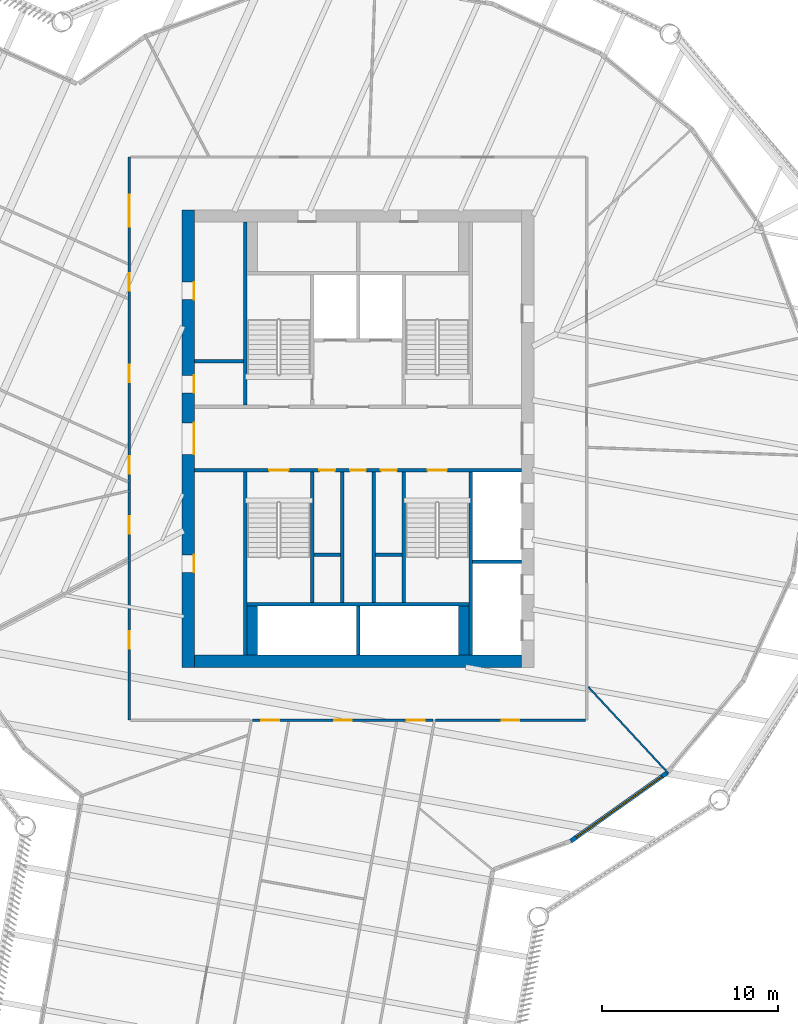
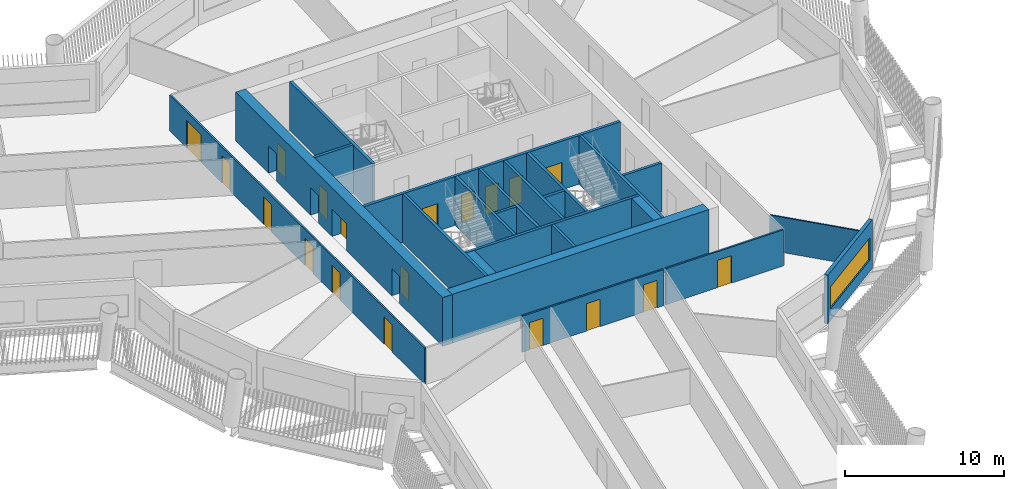
# One storey, part 4 of 14: 23 walls, 19 doors, 1 window, 20 openings.
"""IFC4 building model written with IfcOpenShell, lengths in metres."""

from ifc_helpers import new_model, si_unit, direction, frame, frame_2d, origin, place, context, subcontext, project, spatial, rectangle, extrude, material, layer, layer_set, type_object, element, fill, save


model = new_model("IFC4")

# Units and contexts
model_context = context("Model", 3, precision=1e-05, world=origin(), true_north=direction((0.0, 1.0)))
body_context = subcontext(model_context, "Body", "Model", "MODEL_VIEW")
ifc_project = project(units=[si_unit("LENGTHUNIT", "METRE"), si_unit("AREAUNIT", "SQUARE_METRE"), si_unit("VOLUMEUNIT", "CUBIC_METRE"), si_unit("PLANEANGLEUNIT", "RADIAN"), si_unit("MASSUNIT", "GRAM", prefix="KILO")], contexts=[model_context])

# Site, building, storey
site_placement = place(None, origin())
site = spatial("IfcSite", under=ifc_project, at=site_placement, CompositionType="ELEMENT")
building_placement = place(site_placement, origin())
building = spatial("IfcBuilding", under=site, at=building_placement, Name="Tarsis Ring Headquarters", CompositionType="ELEMENT")
storey_placement = place(building_placement, frame((0.0, 0.0, 182.699951171875)))
storey = spatial("IfcBuildingStorey", under=building, at=storey_placement, Name="L42", CompositionType="ELEMENT", Elevation=182.699951171875)

# Walls
ifc_material_1 = material(Name="Blockwork", Category="masonry")
ifc_layer_1 = layer(ifc_material_1, 0.199951171875)
ifc_layer_set_1 = layer_set([ifc_layer_1], Name="Core blockwork wall 200")
wall_type_1 = type_object("IfcWallType", Name="Core blockwork wall 200", PredefinedType="PARTITIONING", material=ifc_layer_set_1)
wall_1_placement = place(storey_placement, frame((-9.300048828125, 4.39990234375, 0.0), z_axis=(0.0, 0.0, 1.0), x_axis=(1.0, 0.0, 0.0)))
element("IfcWall", 1, at=wall_1_placement, inside=storey, type_object=wall_type_1, Name="Core partition WD5", PredefinedType="PARTITIONING", context=body_context, shape_type="SweptSolid", body=[
    extrude(rectangle(XDim=2.800048828125, YDim=0.199951171875, at=frame_2d((1.39990234375, 0.0))), origin(), (0.0, 0.0, 1.0), 3.739990234375),
])
for number, where, z_axis, x_axis, name in (
    (2, (-2.5, -6.60009765625, 0.0), (0.0, 0.0, 1.0), (1.0, 0.0, 0.0), "Core partition SP1"),
    (3, (1.0, -6.60009765625, 0.0), (0.0, 0.0, 1.0), (1.0, 0.0, 0.0), "Core partition SP3"),
):
    element("IfcWall", number, at=place(storey_placement, frame(where, z_axis=z_axis, x_axis=x_axis)), inside=storey, type_object=wall_type_1, Name=name, PredefinedType="PARTITIONING", context=body_context, shape_type="SweptSolid", body=[
        extrude(rectangle(XDim=1.5, YDim=0.199951171875, at=frame_2d((0.75, 0.0))), origin(), (0.0, 0.0, 1.0), 3.739990234375),
    ])
for number, where, z_axis, x_axis, name in (
    (4, (-0.89990234375, -9.300048828125, 0.0), (0.0, 0.0, 1.0), (0.0, 1.0, 0.0), "Core partition SV1"),
    (5, (0.89990234375, -9.300048828125, 0.0), (0.0, 0.0, 1.0), (0.0, 1.0, 0.0), "Core partition SV2"),
):
    element("IfcWall", number, at=place(storey_placement, frame(where, z_axis=z_axis, x_axis=x_axis)), inside=storey, type_object=wall_type_1, Name=name, PredefinedType="PARTITIONING", context=body_context, shape_type="SweptSolid", body=[
        extrude(rectangle(XDim=7.400146484375, YDim=0.199951171875, at=frame_2d((3.7001953125, 0.0))), origin(), (0.0, 0.0, 1.0), 3.739990234375),
    ])

# Wall, openings, doors
ifc_material_2 = material(Name="Concrete C60/75", Category="concrete")
ifc_layer_2 = layer(ifc_material_2, 0.699951171875)
ifc_layer_set_2 = layer_set([ifc_layer_2], Name="Core wall 700 C60/75")
wall_type_2 = type_object("IfcWallType", Name="Core wall 700 C60/75", PredefinedType="SHEAR", material=ifc_layer_set_2)
wall_2_placement = place(storey_placement, frame((-9.64990234375, -13.0, 0.0), z_axis=(0.0, 0.0, 1.0), x_axis=(0.0, 1.0, 0.0)))
wall_2 = element("IfcWall", 6, at=wall_2_placement, inside=storey, type_object=wall_type_2, Name="Core wall OW", PredefinedType="SHEAR", context=body_context, shape_type="SweptSolid", body=[
    extrude(rectangle(XDim=26.0, YDim=0.699951171875, at=frame_2d((13.0, 0.0))), origin(), (0.0, 0.0, 1.0), 3.739990234375),
])
opening_1_placement = place(wall_2_placement, frame((5.39990234375, 0.0, 0.0)))
opening_1 = element("IfcOpeningElement", 7, at=opening_1_placement, cuts=wall_2, Name="Opening L42-C01", PredefinedType="OPENING", context=body_context, shape_type="SweptSolid", body=[
    extrude(rectangle(XDim=1.0, YDim=2.10009765625, at=frame_2d((0.5, 1.050048828125))), frame((0.0, 0.35986328125, 0.0), z_axis=(0.0, -1.0, 0.0), x_axis=(1.0, 0.0, 0.0)), (0.0, 0.0, 1.0), 0.719970703125),
])
opening_2_placement = place(wall_2_placement, frame((12.10009765625, 0.0, 0.0)))
opening_2 = element("IfcOpeningElement", 8, at=opening_2_placement, cuts=wall_2, Name="Opening L42-C02", PredefinedType="OPENING", context=body_context, shape_type="SweptSolid", body=[
    extrude(rectangle(XDim=1.800048828125, YDim=2.10009765625, at=frame_2d((0.89990234375, 1.050048828125))), frame((0.0, 0.35986328125, 0.0), z_axis=(0.0, -1.0, 0.0), x_axis=(1.0, 0.0, 0.0)), (0.0, 0.0, 1.0), 0.719970703125),
])
opening_3_placement = place(wall_2_placement, frame((15.60009765625, 0.0, 0.0)))
opening_3 = element("IfcOpeningElement", 9, at=opening_3_placement, cuts=wall_2, Name="Opening L42-C03", PredefinedType="OPENING", context=body_context, shape_type="SweptSolid", body=[
    extrude(rectangle(XDim=1.0, YDim=2.10009765625, at=frame_2d((0.5, 1.050048828125))), frame((0.0, 0.35986328125, 0.0), z_axis=(0.0, -1.0, 0.0), x_axis=(1.0, 0.0, 0.0)), (0.0, 0.0, 1.0), 0.719970703125),
])
opening_4_placement = place(wall_2_placement, frame((20.89990234375, 0.0, 0.0)))
opening_4 = element("IfcOpeningElement", 10, at=opening_4_placement, cuts=wall_2, Name="Opening L42-C04", PredefinedType="OPENING", context=body_context, shape_type="SweptSolid", body=[
    extrude(rectangle(XDim=1.0, YDim=2.10009765625, at=frame_2d((0.5, 1.050048828125))), frame((0.0, 0.35986328125, 0.0), z_axis=(0.0, -1.0, 0.0), x_axis=(1.0, 0.0, 0.0)), (0.0, 0.0, 1.0), 0.719970703125),
])
ifc_material_3 = material(Name="Steel S355", Category="steel")
door_type_1 = type_object("IfcDoorType", Name="Core entry door 1800x2100", OperationType="DOUBLE_DOOR_SINGLE_SWING", PredefinedType="DOOR", material=ifc_material_3)
door_1_placement = place(opening_2_placement, origin())
door_1 = element("IfcDoor", 11, at=door_1_placement, inside=storey, type_object=door_type_1, Name="Core entry door L42", OperationType="DOUBLE_DOOR_SINGLE_SWING", OverallHeight=2.10009765625, OverallWidth=1.800048828125, PredefinedType="DOOR", context=body_context, shape_type="SweptSolid", body=[
    extrude(rectangle(XDim=1.800048828125, YDim=2.10009765625, at=frame_2d((0.89990234375, 1.050048828125))), frame((0.0, -0.2998046875, 0.0), z_axis=(0.0, -1.0, 0.0), x_axis=(1.0, 0.0, 0.0)), (0.0, 0.0, 1.0), 0.050048828125),
])
fill(opening_2, door_1)
door_type_2 = type_object("IfcDoorType", Name="Core room door 1000x2100", OperationType="SINGLE_SWING_LEFT", PredefinedType="DOOR", material=ifc_material_3)
door_2_placement = place(opening_1_placement, origin())
door_2 = element("IfcDoor", 12, at=door_2_placement, inside=storey, type_object=door_type_2, Name="Core room door L42", OperationType="SINGLE_SWING_LEFT", OverallHeight=2.10009765625, OverallWidth=1.0, PredefinedType="DOOR", context=body_context, shape_type="SweptSolid", body=[
    extrude(rectangle(XDim=1.0, YDim=2.10009765625, at=frame_2d((0.5, 1.050048828125))), frame((0.0, -0.2998046875, 0.0), z_axis=(0.0, -1.0, 0.0), x_axis=(1.0, 0.0, 0.0)), (0.0, 0.0, 1.0), 0.050048828125),
])
fill(opening_1, door_2)
door_3_placement = place(opening_3_placement, origin())
door_3 = element("IfcDoor", 13, at=door_3_placement, inside=storey, type_object=door_type_2, Name="Core room door L42", OperationType="SINGLE_SWING_LEFT", OverallHeight=2.10009765625, OverallWidth=1.0, PredefinedType="DOOR", context=body_context, shape_type="SweptSolid", body=[
    extrude(rectangle(XDim=1.0, YDim=2.10009765625, at=frame_2d((0.5, 1.050048828125))), frame((0.0, -0.2998046875, 0.0), z_axis=(0.0, -1.0, 0.0), x_axis=(1.0, 0.0, 0.0)), (0.0, 0.0, 1.0), 0.050048828125),
])
fill(opening_3, door_3)
door_4_placement = place(opening_4_placement, origin())
door_4 = element("IfcDoor", 14, at=door_4_placement, inside=storey, type_object=door_type_2, Name="Core room door L42", OperationType="SINGLE_SWING_LEFT", OverallHeight=2.10009765625, OverallWidth=1.0, PredefinedType="DOOR", context=body_context, shape_type="SweptSolid", body=[
    extrude(rectangle(XDim=1.0, YDim=2.10009765625, at=frame_2d((0.5, 1.050048828125))), frame((0.0, -0.2998046875, 0.0), z_axis=(0.0, -1.0, 0.0), x_axis=(1.0, 0.0, 0.0)), (0.0, 0.0, 1.0), 0.050048828125),
])
fill(opening_4, door_4)

# Walls
wall_3_placement = place(storey_placement, frame((-9.300048828125, -12.64990234375, 0.0), z_axis=(0.0, 0.0, 1.0), x_axis=(1.0, 0.0, 0.0)))
element("IfcWall", 15, at=wall_3_placement, inside=storey, type_object=wall_type_2, Name="Core wall OS", PredefinedType="SHEAR", context=body_context, shape_type="SweptSolid", body=[
    extrude(rectangle(XDim=18.60009765625, YDim=0.699951171875, at=frame_2d((9.300048828125, 0.0))), origin(), (0.0, 0.0, 1.0), 3.739990234375),
])
ifc_material_4 = material(Name="Gypsum board on steel studs", Category="steel")
ifc_layer_3 = layer(ifc_material_4, 0.10009765625)
ifc_layer_set_3 = layer_set([ifc_layer_3], Name="FL partition 100 unrated")
wall_type_3 = type_object("IfcWallType", Name="FL partition 100 unrated", PredefinedType="PARTITIONING", material=ifc_layer_set_3)
wall_4_placement = place(storey_placement, frame((13.08837890625, -14.114501953125, 0.0), z_axis=(0.0, 0.0, 1.0), x_axis=(0.679963078558, -0.73324635137, 0.0)))
element("IfcWall", 16, at=wall_4_placement, inside=storey, type_object=wall_type_3, Name="Partition PW3", PredefinedType="PARTITIONING", context=body_context, shape_type="SweptSolid", body=[
    extrude(rectangle(XDim=6.69873046875, YDim=0.10009765625, at=frame_2d((3.349365234375, 0.0))), origin(), (0.0, 0.0, 1.0), 2.699951171875),
])

# Wall, openings, doors
ifc_layer_4 = layer(ifc_material_4, 0.125)
ifc_layer_set_4 = layer_set([ifc_layer_4], Name="FL partition 125 EI 60 H2770")
wall_type_4 = type_object("IfcWallType", Name="FL partition 125 EI 60 H2770", PredefinedType="PARTITIONING", material=ifc_layer_set_4)
wall_5_placement = place(storey_placement, frame((-13.0, -16.0, 0.0), z_axis=(0.0, 0.0, 1.0), x_axis=(0.0, 1.0, 0.0)))
wall_5 = element("IfcWall", 17, at=wall_5_placement, inside=storey, type_object=wall_type_4, Name="Partition PW1", PredefinedType="PARTITIONING", context=body_context, shape_type="SweptSolid", body=[
    extrude(rectangle(XDim=31.998046875, YDim=0.125, at=frame_2d((15.9990234375, 0.0))), origin(), (0.0, 0.0, 1.0), 2.77001953125),
])
opening_5_placement = place(wall_5_placement, frame((28.0478515625, 0.0, 0.0)))
opening_5 = element("IfcOpeningElement", 18, at=opening_5_placement, cuts=wall_5, Name="Opening D42.03", PredefinedType="OPENING", context=body_context, shape_type="SweptSolid", body=[
    extrude(rectangle(XDim=1.800048828125, YDim=2.10009765625, at=frame_2d((0.89990234375, 1.050048828125))), frame((0.0, 0.072509765625, 0.0), z_axis=(0.0, -1.0, 0.0), x_axis=(1.0, 0.0, 0.0)), (0.0, 0.0, 1.0), 0.14501953125),
])
opening_6_placement = place(wall_5_placement, frame((4.067138671875, 0.0, 0.0)))
opening_6 = element("IfcOpeningElement", 19, at=opening_6_placement, cuts=wall_5, Name="Opening D42.13", PredefinedType="OPENING", context=body_context, shape_type="SweptSolid", body=[
    extrude(rectangle(XDim=1.0, YDim=2.10009765625, at=frame_2d((0.5, 1.050048828125))), frame((0.0, 0.072509765625, 0.0), z_axis=(0.0, -1.0, 0.0), x_axis=(1.0, 0.0, 0.0)), (0.0, 0.0, 1.0), 0.14501953125),
])
opening_7_placement = place(wall_5_placement, frame((10.585693359375, 0.0, 0.0)))
opening_7 = element("IfcOpeningElement", 20, at=opening_7_placement, cuts=wall_5, Name="Opening D42.14", PredefinedType="OPENING", context=body_context, shape_type="SweptSolid", body=[
    extrude(rectangle(XDim=1.0, YDim=2.10009765625, at=frame_2d((0.5, 1.050048828125))), frame((0.0, 0.072509765625, 0.0), z_axis=(0.0, -1.0, 0.0), x_axis=(1.0, 0.0, 0.0)), (0.0, 0.0, 1.0), 0.14501953125),
])
opening_8_placement = place(wall_5_placement, frame((19.205322265625, 0.0, 0.0)))
opening_8 = element("IfcOpeningElement", 21, at=opening_8_placement, cuts=wall_5, Name="Opening D42.15", PredefinedType="OPENING", context=body_context, shape_type="SweptSolid", body=[
    extrude(rectangle(XDim=1.0, YDim=2.10009765625, at=frame_2d((0.5, 1.050048828125))), frame((0.0, 0.072509765625, 0.0), z_axis=(0.0, -1.0, 0.0), x_axis=(1.0, 0.0, 0.0)), (0.0, 0.0, 1.0), 0.14501953125),
])
opening_9_placement = place(wall_5_placement, frame((13.999267578125, 0.0, 0.0)))
opening_9 = element("IfcOpeningElement", 22, at=opening_9_placement, cuts=wall_5, Name="Opening D42.21", PredefinedType="OPENING", context=body_context, shape_type="SweptSolid", body=[
    extrude(rectangle(XDim=1.0, YDim=2.10009765625, at=frame_2d((0.5, 1.050048828125))), frame((0.0, 0.072509765625, 0.0), z_axis=(0.0, -1.0, 0.0), x_axis=(1.0, 0.0, 0.0)), (0.0, 0.0, 1.0), 0.14501953125),
])
opening_10_placement = place(wall_5_placement, frame((24.411376953125, 0.0, 0.0)))
opening_10 = element("IfcOpeningElement", 23, at=opening_10_placement, cuts=wall_5, Name="Opening D42.22", PredefinedType="OPENING", context=body_context, shape_type="SweptSolid", body=[
    extrude(rectangle(XDim=1.0, YDim=2.10009765625, at=frame_2d((0.5, 1.050048828125))), frame((0.0, 0.072509765625, 0.0), z_axis=(0.0, -1.0, 0.0), x_axis=(1.0, 0.0, 0.0)), (0.0, 0.0, 1.0), 0.14501953125),
])
ifc_material_5 = material(Name="Fire-rated timber door leaf in steel frame", Category="steel")
door_type_3 = type_object("IfcDoorType", Name="FL door FD60-1000", OperationType="NOTDEFINED", PredefinedType="DOOR", material=ifc_material_5)
door_5_placement = place(opening_6_placement, origin())
door_5 = element("IfcDoor", 24, at=door_5_placement, inside=storey, type_object=door_type_3, Name="Door D42.13", OperationType="SINGLE_SWING_LEFT", OverallHeight=2.10009765625, OverallWidth=1.0, PredefinedType="DOOR", context=body_context, shape_type="SweptSolid", body=[
    extrude(rectangle(XDim=1.0, YDim=2.10009765625, at=frame_2d((0.5, 1.050048828125))), frame((0.0, 0.02490234375, 0.0), z_axis=(0.0, -1.0, 0.0), x_axis=(1.0, 0.0, 0.0)), (0.0, 0.0, 1.0), 0.050048828125),
])
fill(opening_6, door_5)
door_6_placement = place(opening_7_placement, origin())
door_6 = element("IfcDoor", 25, at=door_6_placement, inside=storey, type_object=door_type_3, Name="Door D42.14", OperationType="SINGLE_SWING_RIGHT", OverallHeight=2.10009765625, OverallWidth=1.0, PredefinedType="DOOR", context=body_context, shape_type="SweptSolid", body=[
    extrude(rectangle(XDim=1.0, YDim=2.10009765625, at=frame_2d((0.5, 1.050048828125))), frame((0.0, 0.02490234375, 0.0), z_axis=(0.0, -1.0, 0.0), x_axis=(1.0, 0.0, 0.0)), (0.0, 0.0, 1.0), 0.050048828125),
])
fill(opening_7, door_6)
door_7_placement = place(opening_8_placement, origin())
door_7 = element("IfcDoor", 26, at=door_7_placement, inside=storey, type_object=door_type_3, Name="Door D42.15", OperationType="SINGLE_SWING_LEFT", OverallHeight=2.10009765625, OverallWidth=1.0, PredefinedType="DOOR", context=body_context, shape_type="SweptSolid", body=[
    extrude(rectangle(XDim=1.0, YDim=2.10009765625, at=frame_2d((0.5, 1.050048828125))), frame((0.0, 0.02490234375, 0.0), z_axis=(0.0, -1.0, 0.0), x_axis=(1.0, 0.0, 0.0)), (0.0, 0.0, 1.0), 0.050048828125),
])
fill(opening_8, door_7)
door_8_placement = place(opening_9_placement, origin())
door_8 = element("IfcDoor", 27, at=door_8_placement, inside=storey, type_object=door_type_3, Name="Door D42.21", OperationType="SINGLE_SWING_LEFT", OverallHeight=2.10009765625, OverallWidth=1.0, PredefinedType="DOOR", context=body_context, shape_type="SweptSolid", body=[
    extrude(rectangle(XDim=1.0, YDim=2.10009765625, at=frame_2d((0.5, 1.050048828125))), frame((0.0, 0.02490234375, 0.0), z_axis=(0.0, -1.0, 0.0), x_axis=(1.0, 0.0, 0.0)), (0.0, 0.0, 1.0), 0.050048828125),
])
fill(opening_9, door_8)
door_9_placement = place(opening_10_placement, origin())
door_9 = element("IfcDoor", 28, at=door_9_placement, inside=storey, type_object=door_type_3, Name="Door D42.22", OperationType="SINGLE_SWING_RIGHT", OverallHeight=2.10009765625, OverallWidth=1.0, PredefinedType="DOOR", context=body_context, shape_type="SweptSolid", body=[
    extrude(rectangle(XDim=1.0, YDim=2.10009765625, at=frame_2d((0.5, 1.050048828125))), frame((0.0, 0.02490234375, 0.0), z_axis=(0.0, -1.0, 0.0), x_axis=(1.0, 0.0, 0.0)), (0.0, 0.0, 1.0), 0.050048828125),
])
fill(opening_10, door_9)
door_type_4 = type_object("IfcDoorType", Name="FL door FD60-1800", OperationType="DOUBLE_DOOR_SINGLE_SWING", PredefinedType="DOOR", material=ifc_material_5)
door_10_placement = place(opening_5_placement, origin())
door_10 = element("IfcDoor", 29, at=door_10_placement, inside=storey, type_object=door_type_4, Name="Door D42.03", OperationType="DOUBLE_DOOR_SINGLE_SWING", OverallHeight=2.10009765625, OverallWidth=1.800048828125, PredefinedType="DOOR", context=body_context, shape_type="SweptSolid", body=[
    extrude(rectangle(XDim=1.800048828125, YDim=2.10009765625, at=frame_2d((0.89990234375, 1.050048828125))), frame((0.0, 0.02490234375, 0.0), z_axis=(0.0, -1.0, 0.0), x_axis=(1.0, 0.0, 0.0)), (0.0, 0.0, 1.0), 0.050048828125),
])
fill(opening_5, door_10)

wall_6_placement = place(storey_placement, frame((-5.995849609375, -16.0, 0.0), z_axis=(0.0, 0.0, 1.0), x_axis=(1.0, 0.0, 0.0)))
wall_6 = element("IfcWall", 30, at=wall_6_placement, inside=storey, type_object=wall_type_4, Name="Partition PW1", PredefinedType="PARTITIONING", context=body_context, shape_type="SweptSolid", body=[
    extrude(rectangle(XDim=10.266845703125, YDim=0.125, at=frame_2d((5.13330078125, 0.0))), origin(), (0.0, 0.0, 1.0), 2.77001953125),
])
opening_11_placement = place(wall_6_placement, frame((4.639892578125, 0.0, 0.0)))
opening_11 = element("IfcOpeningElement", 31, at=opening_11_placement, cuts=wall_6, Name="Opening D42.17", PredefinedType="OPENING", context=body_context, shape_type="SweptSolid", body=[
    extrude(rectangle(XDim=1.0, YDim=2.10009765625, at=frame_2d((0.5, 1.050048828125))), frame((0.0, 0.072509765625, 0.0), z_axis=(0.0, -1.0, 0.0), x_axis=(1.0, 0.0, 0.0)), (0.0, 0.0, 1.0), 0.14501953125),
])
opening_12_placement = place(wall_6_placement, frame((0.505126953125, 0.0, 0.0)))
opening_12 = element("IfcOpeningElement", 32, at=opening_12_placement, cuts=wall_6, Name="Opening D42.19", PredefinedType="OPENING", context=body_context, shape_type="SweptSolid", body=[
    extrude(rectangle(XDim=1.0, YDim=2.10009765625, at=frame_2d((0.5, 1.050048828125))), frame((0.0, 0.072509765625, 0.0), z_axis=(0.0, -1.0, 0.0), x_axis=(1.0, 0.0, 0.0)), (0.0, 0.0, 1.0), 0.14501953125),
])
opening_13_placement = place(wall_6_placement, frame((8.77490234375, 0.0, 0.0)))
opening_13 = element("IfcOpeningElement", 33, at=opening_13_placement, cuts=wall_6, Name="Opening D42.20", PredefinedType="OPENING", context=body_context, shape_type="SweptSolid", body=[
    extrude(rectangle(XDim=1.0, YDim=2.10009765625, at=frame_2d((0.5, 1.050048828125))), frame((0.0, 0.072509765625, 0.0), z_axis=(0.0, -1.0, 0.0), x_axis=(1.0, 0.0, 0.0)), (0.0, 0.0, 1.0), 0.14501953125),
])
door_11_placement = place(opening_11_placement, origin())
door_11 = element("IfcDoor", 34, at=door_11_placement, inside=storey, type_object=door_type_3, Name="Door D42.17", OperationType="SINGLE_SWING_LEFT", OverallHeight=2.10009765625, OverallWidth=1.0, PredefinedType="DOOR", context=body_context, shape_type="SweptSolid", body=[
    extrude(rectangle(XDim=1.0, YDim=2.10009765625, at=frame_2d((0.5, 1.050048828125))), frame((0.0, 0.02490234375, 0.0), z_axis=(0.0, -1.0, 0.0), x_axis=(1.0, 0.0, 0.0)), (0.0, 0.0, 1.0), 0.050048828125),
])
fill(opening_11, door_11)
door_12_placement = place(opening_12_placement, origin())
door_12 = element("IfcDoor", 35, at=door_12_placement, inside=storey, type_object=door_type_3, Name="Door D42.19", OperationType="SINGLE_SWING_LEFT", OverallHeight=2.10009765625, OverallWidth=1.0, PredefinedType="DOOR", context=body_context, shape_type="SweptSolid", body=[
    extrude(rectangle(XDim=1.0, YDim=2.10009765625, at=frame_2d((0.5, 1.050048828125))), frame((0.0, 0.02490234375, 0.0), z_axis=(0.0, -1.0, 0.0), x_axis=(1.0, 0.0, 0.0)), (0.0, 0.0, 1.0), 0.050048828125),
])
fill(opening_12, door_12)
door_13_placement = place(opening_13_placement, origin())
door_13 = element("IfcDoor", 36, at=door_13_placement, inside=storey, type_object=door_type_3, Name="Door D42.20", OperationType="SINGLE_SWING_RIGHT", OverallHeight=2.10009765625, OverallWidth=1.0, PredefinedType="DOOR", context=body_context, shape_type="SweptSolid", body=[
    extrude(rectangle(XDim=1.0, YDim=2.10009765625, at=frame_2d((0.5, 1.050048828125))), frame((0.0, 0.02490234375, 0.0), z_axis=(0.0, -1.0, 0.0), x_axis=(1.0, 0.0, 0.0)), (0.0, 0.0, 1.0), 0.050048828125),
])
fill(opening_13, door_13)

# Wall, opening, door
wall_7_placement = place(storey_placement, frame((4.4072265625, -16.0, 0.0), z_axis=(0.0, 0.0, 1.0), x_axis=(1.0, 0.0, 0.0)))
wall_7 = element("IfcWall", 37, at=wall_7_placement, inside=storey, type_object=wall_type_4, Name="Partition PW1", PredefinedType="PARTITIONING", context=body_context, shape_type="SweptSolid", body=[
    extrude(rectangle(XDim=8.53271484375, YDim=0.125, at=frame_2d((4.266357421875, 0.0))), origin(), (0.0, 0.0, 1.0), 2.77001953125),
])
opening_14_placement = place(wall_7_placement, frame((3.765625, 0.0, 0.0)))
opening_14 = element("IfcOpeningElement", 38, at=opening_14_placement, cuts=wall_7, Name="Opening D42.09", PredefinedType="OPENING", context=body_context, shape_type="SweptSolid", body=[
    extrude(rectangle(XDim=1.0, YDim=2.10009765625, at=frame_2d((0.5, 1.050048828125))), frame((0.0, 0.072509765625, 0.0), z_axis=(0.0, -1.0, 0.0), x_axis=(1.0, 0.0, 0.0)), (0.0, 0.0, 1.0), 0.14501953125),
])
door_14_placement = place(opening_14_placement, origin())
door_14 = element("IfcDoor", 39, at=door_14_placement, inside=storey, type_object=door_type_3, Name="Door D42.09", OperationType="SINGLE_SWING_LEFT", OverallHeight=2.10009765625, OverallWidth=1.0, PredefinedType="DOOR", context=body_context, shape_type="SweptSolid", body=[
    extrude(rectangle(XDim=1.0, YDim=2.10009765625, at=frame_2d((0.5, 1.050048828125))), frame((0.0, 0.02490234375, 0.0), z_axis=(0.0, -1.0, 0.0), x_axis=(1.0, 0.0, 0.0)), (0.0, 0.0, 1.0), 0.050048828125),
])
fill(opening_14, door_14)

# Wall, opening, window
ifc_material_6 = material(Name="Terracotta clad insulated panel wall", Category="masonry")
ifc_layer_5 = layer(ifc_material_6, 0.25)
ifc_layer_set_5 = layer_set([ifc_layer_5], Name="Facade wall terracotta panel 250")
wall_type_5 = type_object("IfcWallType", Name="Facade wall terracotta panel 250", PredefinedType="STANDARD", material=ifc_layer_set_5)
wall_8_placement = place(storey_placement, frame((12.0966796875, -22.86962890625, 0.0), z_axis=(0.0, 0.0, 1.0), x_axis=(0.815728840139, 0.578434490124, 0.0)))
wall_8 = element("IfcWall", 40, at=wall_8_placement, inside=storey, type_object=wall_type_5, Name="External wall L42-18", PredefinedType="STANDARD", context=body_context, shape_type="SweptSolid", body=[
    extrude(rectangle(XDim=6.721435546875, YDim=0.25, at=frame_2d((3.36083984375, 0.0))), origin(), (0.0, 0.0, 1.0), 3.739990234375),
])
opening_15_placement = place(wall_8_placement, frame((0.3857421875, 0.0, 0.89990234375)))
opening_15 = element("IfcOpeningElement", 41, at=opening_15_placement, cuts=wall_8, Name="Opening WN07", PredefinedType="OPENING", context=body_context, shape_type="SweptSolid", body=[
    extrude(rectangle(XDim=5.949951171875, YDim=1.699951171875, at=frame_2d((2.97509765625, 0.85009765625))), frame((0.0, 0.135009765625, 0.0), z_axis=(0.0, -1.0, 0.0), x_axis=(1.0, 0.0, 0.0)), (0.0, 0.0, 1.0), 0.27001953125),
])
ifc_material_7 = material(Name="Aluminium framed double glazing", Category="aluminium")
window_type = type_object("IfcWindowType", Name="Facade window 5950 x 1700", PartitioningType="SINGLE_PANEL", PredefinedType="WINDOW", material=ifc_material_7)
window_placement = place(opening_15_placement, origin())
window = element("IfcWindow", 42, at=window_placement, inside=storey, type_object=window_type, Name="Window L42-18.1", OverallHeight=1.699951171875, OverallWidth=5.949951171875, PartitioningType="SINGLE_PANEL", PredefinedType="WINDOW", context=body_context, shape_type="SweptSolid", body=[
    extrude(rectangle(XDim=5.949951171875, YDim=1.699951171875, at=frame_2d((2.97509765625, 0.85009765625))), frame((0.0, 0.030029296875, 0.0), z_axis=(0.0, -1.0, 0.0), x_axis=(1.0, 0.0, 0.0)), (0.0, 0.0, 1.0), 0.06005859375),
])
fill(opening_15, window)

# Walls
ifc_material_8 = material(Name="Concrete C32/40", Category="concrete")
ifc_layer_6 = layer(ifc_material_8, 0.60009765625)
ifc_layer_set_6 = layer_set([ifc_layer_6], Name="Shaft end wall 600 C32/40")
wall_type_6 = type_object("IfcWallType", Name="Shaft end wall 600 C32/40", PredefinedType="SOLIDWALL", material=ifc_layer_set_6)
for number, where, z_axis, x_axis, name in (
    (43, (-6.0, -12.300048828125, 0.0), (0.0, 0.0, 1.0), (0.0, 1.0, 0.0), "Core shaft wall SNE1"),
    (44, (6.0, -12.300048828125, 0.0), (0.0, 0.0, 1.0), (0.0, 1.0, 0.0), "Core shaft wall SNE2"),
):
    element("IfcWall", number, at=place(storey_placement, frame(where, z_axis=z_axis, x_axis=x_axis)), inside=storey, type_object=wall_type_6, Name=name, PredefinedType="SOLIDWALL", context=body_context, shape_type="SweptSolid", body=[
        extrude(rectangle(XDim=2.800048828125, YDim=0.60009765625, at=frame_2d((1.39990234375, 0.0))), origin(), (0.0, 0.0, 1.0), 3.739990234375),
    ])

# Wall, openings, doors
ifc_layer_7 = layer(ifc_material_8, 0.199951171875)
ifc_layer_set_7 = layer_set([ifc_layer_7], Name="Shaft wall 200 C32/40")
wall_type_7 = type_object("IfcWallType", Name="Shaft wall 200 C32/40", PredefinedType="SOLIDWALL", material=ifc_layer_set_7)
wall_9_placement = place(storey_placement, frame((-9.300048828125, -1.800048828125, 0.0), z_axis=(0.0, 0.0, 1.0), x_axis=(1.0, 0.0, 0.0)))
wall_9 = element("IfcWall", 45, at=wall_9_placement, inside=storey, type_object=wall_type_7, Name="Core shaft wall CS", PredefinedType="SOLIDWALL", context=body_context, shape_type="SweptSolid", body=[
    extrude(rectangle(XDim=18.60009765625, YDim=0.199951171875, at=frame_2d((9.300048828125, 0.0))), origin(), (0.0, 0.0, 1.0), 3.739990234375),
])
opening_16_placement = place(wall_9_placement, frame((4.25, 0.0, 0.0)))
opening_16 = element("IfcOpeningElement", 46, at=opening_16_placement, cuts=wall_9, Name="Opening L42-C16", PredefinedType="OPENING", context=body_context, shape_type="SweptSolid", body=[
    extrude(rectangle(XDim=1.10009765625, YDim=2.10009765625, at=frame_2d((0.550048828125, 1.050048828125))), frame((0.0, 0.10986328125, 0.0), z_axis=(0.0, -1.0, 0.0), x_axis=(1.0, 0.0, 0.0)), (0.0, 0.0, 1.0), 0.219970703125),
])
opening_17_placement = place(wall_9_placement, frame((7.10009765625, 0.0, 0.0)))
opening_17 = element("IfcOpeningElement", 47, at=opening_17_placement, cuts=wall_9, Name="Opening L42-C17", PredefinedType="OPENING", context=body_context, shape_type="SweptSolid", body=[
    extrude(rectangle(XDim=0.89990234375, YDim=2.10009765625, at=frame_2d((0.449951171875, 1.050048828125))), frame((0.0, 0.10986328125, 0.0), z_axis=(0.0, -1.0, 0.0), x_axis=(1.0, 0.0, 0.0)), (0.0, 0.0, 1.0), 0.219970703125),
])
opening_18_placement = place(wall_9_placement, frame((8.85009765625, 0.0, 0.0)))
opening_18 = element("IfcOpeningElement", 48, at=opening_18_placement, cuts=wall_9, Name="Opening L42-C18", PredefinedType="OPENING", context=body_context, shape_type="SweptSolid", body=[
    extrude(rectangle(XDim=0.89990234375, YDim=2.10009765625, at=frame_2d((0.449951171875, 1.050048828125))), frame((0.0, 0.10986328125, 0.0), z_axis=(0.0, -1.0, 0.0), x_axis=(1.0, 0.0, 0.0)), (0.0, 0.0, 1.0), 0.219970703125),
])
opening_19_placement = place(wall_9_placement, frame((10.60009765625, 0.0, 0.0)))
opening_19 = element("IfcOpeningElement", 49, at=opening_19_placement, cuts=wall_9, Name="Opening L42-C19", PredefinedType="OPENING", context=body_context, shape_type="SweptSolid", body=[
    extrude(rectangle(XDim=0.89990234375, YDim=2.10009765625, at=frame_2d((0.449951171875, 1.050048828125))), frame((0.0, 0.10986328125, 0.0), z_axis=(0.0, -1.0, 0.0), x_axis=(1.0, 0.0, 0.0)), (0.0, 0.0, 1.0), 0.219970703125),
])
opening_20_placement = place(wall_9_placement, frame((13.25, 0.0, 0.0)))
opening_20 = element("IfcOpeningElement", 50, at=opening_20_placement, cuts=wall_9, Name="Opening L42-C20", PredefinedType="OPENING", context=body_context, shape_type="SweptSolid", body=[
    extrude(rectangle(XDim=1.10009765625, YDim=2.10009765625, at=frame_2d((0.550048828125, 1.050048828125))), frame((0.0, 0.10986328125, 0.0), z_axis=(0.0, -1.0, 0.0), x_axis=(1.0, 0.0, 0.0)), (0.0, 0.0, 1.0), 0.219970703125),
])
door_type_5 = type_object("IfcDoorType", Name="Stair door 1100x2100", OperationType="SINGLE_SWING_LEFT", PredefinedType="DOOR", material=ifc_material_3)
door_15_placement = place(opening_16_placement, origin())
door_15 = element("IfcDoor", 51, at=door_15_placement, inside=storey, type_object=door_type_5, Name="Stair door L42", OperationType="SINGLE_SWING_LEFT", OverallHeight=2.10009765625, OverallWidth=1.10009765625, PredefinedType="DOOR", context=body_context, shape_type="SweptSolid", body=[
    extrude(rectangle(XDim=1.10009765625, YDim=2.10009765625, at=frame_2d((0.550048828125, 1.050048828125))), frame((0.0, 0.02490234375, 0.0), z_axis=(0.0, -1.0, 0.0), x_axis=(1.0, 0.0, 0.0)), (0.0, 0.0, 1.0), 0.050048828125),
])
fill(opening_16, door_15)
door_16_placement = place(opening_20_placement, origin())
door_16 = element("IfcDoor", 52, at=door_16_placement, inside=storey, type_object=door_type_5, Name="Stair door L42", OperationType="SINGLE_SWING_LEFT", OverallHeight=2.10009765625, OverallWidth=1.10009765625, PredefinedType="DOOR", context=body_context, shape_type="SweptSolid", body=[
    extrude(rectangle(XDim=1.10009765625, YDim=2.10009765625, at=frame_2d((0.550048828125, 1.050048828125))), frame((0.0, 0.02490234375, 0.0), z_axis=(0.0, -1.0, 0.0), x_axis=(1.0, 0.0, 0.0)), (0.0, 0.0, 1.0), 0.050048828125),
])
fill(opening_20, door_16)
door_type_6 = type_object("IfcDoorType", Name="WC door 900x2100", OperationType="SINGLE_SWING_LEFT", PredefinedType="DOOR", material=ifc_material_3)
door_17_placement = place(opening_17_placement, origin())
door_17 = element("IfcDoor", 53, at=door_17_placement, inside=storey, type_object=door_type_6, Name="WC door L42", OperationType="SINGLE_SWING_LEFT", OverallHeight=2.10009765625, OverallWidth=0.89990234375, PredefinedType="DOOR", context=body_context, shape_type="SweptSolid", body=[
    extrude(rectangle(XDim=0.89990234375, YDim=2.10009765625, at=frame_2d((0.449951171875, 1.050048828125))), frame((0.0, 0.02490234375, 0.0), z_axis=(0.0, -1.0, 0.0), x_axis=(1.0, 0.0, 0.0)), (0.0, 0.0, 1.0), 0.050048828125),
])
fill(opening_17, door_17)
door_18_placement = place(opening_18_placement, origin())
door_18 = element("IfcDoor", 54, at=door_18_placement, inside=storey, type_object=door_type_6, Name="WC door L42", OperationType="SINGLE_SWING_LEFT", OverallHeight=2.10009765625, OverallWidth=0.89990234375, PredefinedType="DOOR", context=body_context, shape_type="SweptSolid", body=[
    extrude(rectangle(XDim=0.89990234375, YDim=2.10009765625, at=frame_2d((0.449951171875, 1.050048828125))), frame((0.0, 0.02490234375, 0.0), z_axis=(0.0, -1.0, 0.0), x_axis=(1.0, 0.0, 0.0)), (0.0, 0.0, 1.0), 0.050048828125),
])
fill(opening_18, door_18)
door_19_placement = place(opening_19_placement, origin())
door_19 = element("IfcDoor", 55, at=door_19_placement, inside=storey, type_object=door_type_6, Name="WC door L42", OperationType="SINGLE_SWING_LEFT", OverallHeight=2.10009765625, OverallWidth=0.89990234375, PredefinedType="DOOR", context=body_context, shape_type="SweptSolid", body=[
    extrude(rectangle(XDim=0.89990234375, YDim=2.10009765625, at=frame_2d((0.449951171875, 1.050048828125))), frame((0.0, 0.02490234375, 0.0), z_axis=(0.0, -1.0, 0.0), x_axis=(1.0, 0.0, 0.0)), (0.0, 0.0, 1.0), 0.050048828125),
])
fill(opening_19, door_19)

# Walls
for number, where, z_axis, x_axis, name in (
    (56, (-6.39990234375, -12.300048828125, 0.0), (0.0, 0.0, 1.0), (0.0, 1.0, 0.0), "Core shaft wall WB1"),
    (57, (-6.39990234375, 1.89990234375, 0.0), (0.0, 0.0, 1.0), (0.0, 1.0, 0.0), "Core shaft wall WB2"),
    (58, (6.39990234375, -12.300048828125, 0.0), (0.0, 0.0, 1.0), (0.0, 1.0, 0.0), "Core shaft wall EB1"),
):
    element("IfcWall", number, at=place(storey_placement, frame(where, z_axis=z_axis, x_axis=x_axis)), inside=storey, type_object=wall_type_7, Name=name, PredefinedType="SOLIDWALL", context=body_context, shape_type="SweptSolid", body=[
        extrude(rectangle(XDim=10.400146484375, YDim=0.199951171875, at=frame_2d((5.2001953125, 0.0))), origin(), (0.0, 0.0, 1.0), 3.739990234375),
    ])
wall_10_placement = place(storey_placement, frame((-6.300048828125, -9.39990234375, 0.0), z_axis=(0.0, 0.0, 1.0), x_axis=(1.0, 0.0, 0.0)))
element("IfcWall", 59, at=wall_10_placement, inside=storey, type_object=wall_type_7, Name="Core shaft wall SB", PredefinedType="SOLIDWALL", context=body_context, shape_type="SweptSolid", body=[
    extrude(rectangle(XDim=12.60009765625, YDim=0.199951171875, at=frame_2d((6.300048828125, 0.0))), origin(), (0.0, 0.0, 1.0), 3.739990234375),
])
for number, where, z_axis, x_axis, name in (
    (60, (-2.60009765625, -9.300048828125, 0.0), (0.0, 0.0, 1.0), (0.0, 1.0, 0.0), "Core shaft wall SW3"),
    (61, (2.60009765625, -9.300048828125, 0.0), (0.0, 0.0, 1.0), (0.0, 1.0, 0.0), "Core shaft wall SW4"),
):
    element("IfcWall", number, at=place(storey_placement, frame(where, z_axis=z_axis, x_axis=x_axis)), inside=storey, type_object=wall_type_7, Name=name, PredefinedType="SOLIDWALL", context=body_context, shape_type="SweptSolid", body=[
        extrude(rectangle(XDim=7.400146484375, YDim=0.199951171875, at=frame_2d((3.7001953125, 0.0))), origin(), (0.0, 0.0, 1.0), 3.739990234375),
    ])
for number, where, z_axis, x_axis, name in (
    (62, (6.5, -7.0, 0.0), (0.0, 0.0, 1.0), (1.0, 0.0, 0.0), "Core shaft wall ED2"),
    (63, (0.0, -12.300048828125, 0.0), (0.0, 0.0, 1.0), (0.0, 1.0, 0.0), "Core shaft wall SD2"),
):
    element("IfcWall", number, at=place(storey_placement, frame(where, z_axis=z_axis, x_axis=x_axis)), inside=storey, type_object=wall_type_7, Name=name, PredefinedType="SOLIDWALL", context=body_context, shape_type="SweptSolid", body=[
        extrude(rectangle(XDim=2.800048828125, YDim=0.199951171875, at=frame_2d((1.39990234375, 0.0))), origin(), (0.0, 0.0, 1.0), 3.739990234375),
    ])

save(model, "model.ifc")
